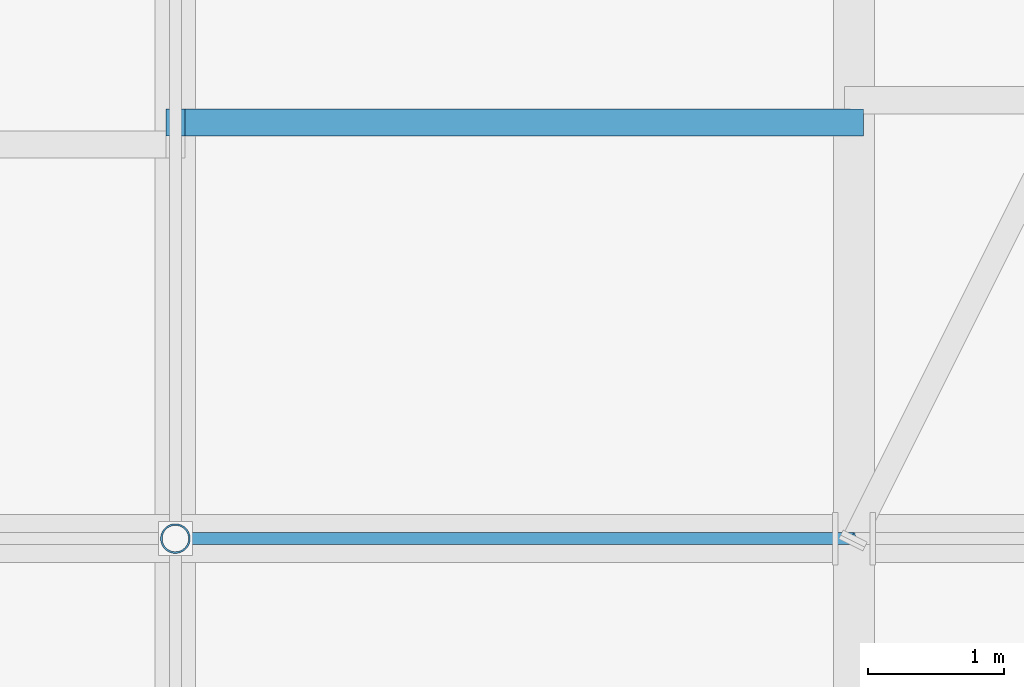
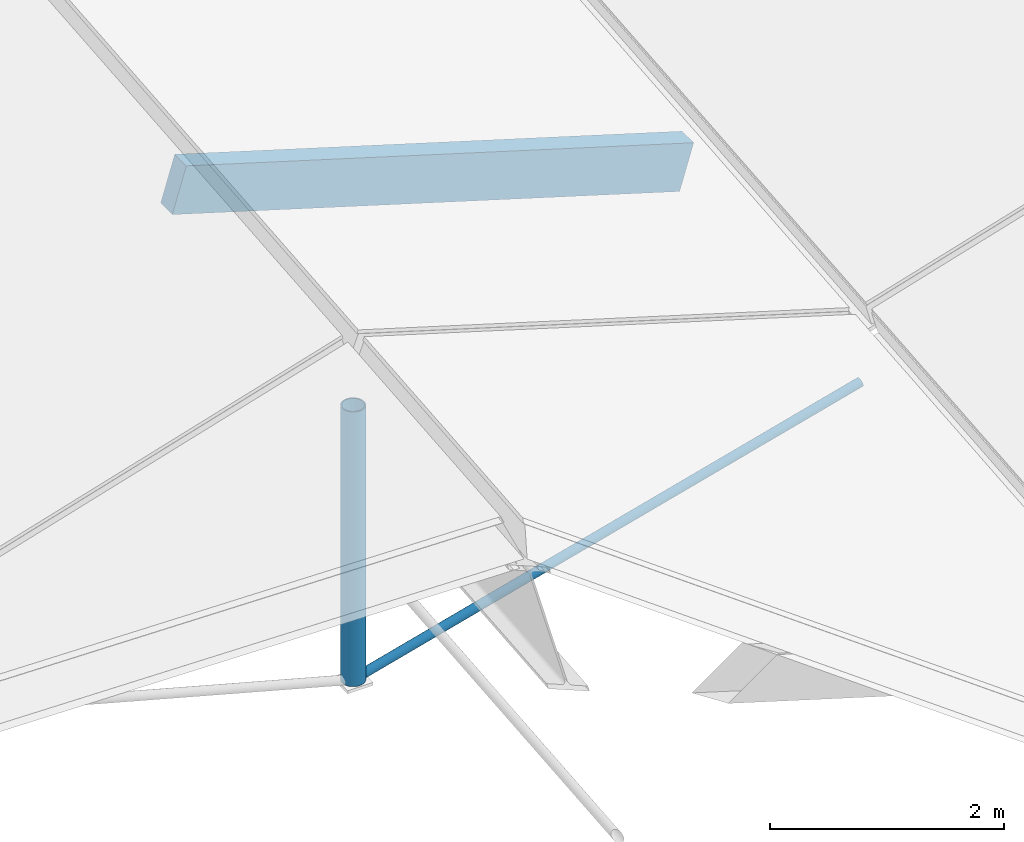
# One storey, part 12 of 90: 3 members.
"""IFC4 building model written with IfcOpenShell, lengths in metres."""

from ifc_helpers import new_model, si_unit, direction, frame, origin, origin_2d, place, context, subcontext, project, spatial, rectangle, circle, hollow_circle, extrude, material, material_profile, profile_set, type_object, element, save


model = new_model("IFC4")

# Units and contexts
model_context = context("Model", 3, precision=1e-05, world=origin(), true_north=direction((0.0, 1.0)))
body_context = subcontext(model_context, "Body", "Model", "MODEL_VIEW")
ifc_project = project(units=[si_unit("LENGTHUNIT", "METRE"), si_unit("AREAUNIT", "SQUARE_METRE"), si_unit("VOLUMEUNIT", "CUBIC_METRE"), si_unit("PLANEANGLEUNIT", "RADIAN"), si_unit("MASSUNIT", "GRAM", prefix="KILO"), si_unit("THERMODYNAMICTEMPERATUREUNIT", "KELVIN"), si_unit("POWERUNIT", "WATT")], contexts=[model_context])

# Site, building, storey
site_placement = place(None, origin())
site = spatial("IfcSite", under=ifc_project, at=site_placement, CompositionType="ELEMENT")
building_placement = place(site_placement, origin())
building = spatial("IfcBuilding", under=site, at=building_placement, Name="Korenveer Ferry Terminal", CompositionType="ELEMENT")
storey_placement = place(building_placement, frame((0.0, 0.0, 22.199951171875)))
storey = spatial("IfcBuildingStorey", under=building, at=storey_placement, Name="RF", CompositionType="ELEMENT", Elevation=22.199951171875)

# Members
ifc_material_1 = material(Name="High-strength steel S460", Category="steel")
ifc_material_profile_1 = material_profile(ifc_material_1, circle(Radius=0.044921875, at=origin_2d()), Name="ROD D90")
ifc_profile_set_1 = profile_set([ifc_material_profile_1], Name="High-strength steel S460")
member_type_1 = type_object("IfcMemberType", Name="STR-CBL-D90", PredefinedType="USERDEFINED", material=ifc_profile_set_1)
member_1_placement = place(storey_placement, frame((63.0, 80.0, -5.95361328125), z_axis=(-0.965424337217, 0.0, -0.260683426993), x_axis=(0.0, -1.0, 0.0)))
element("IfcMember", 1, at=member_1_placement, inside=storey, type_object=member_type_1, Name="Roof tension tie cable 58", ObjectType="CABLE", PredefinedType="USERDEFINED", context=body_context, shape_type="SweptSolid", body=[
    extrude(circle(Radius=0.044921875, at=origin_2d()), origin(), (0.0, 0.0, 1.0), 5.178955078125),
])
ifc_material_2 = material(Name="Glulam GL28h", Category="wood")
ifc_material_profile_2 = material_profile(ifc_material_2, rectangle(XDim=0.199951171875, YDim=0.47998046875, at=origin_2d()), Name="GL 200x480")
ifc_profile_set_2 = profile_set([ifc_material_profile_2], Name="Glulam GL28h")
member_type_2 = type_object("IfcMemberType", Name="STR-PUR-GL200", PredefinedType="PURLIN", material=ifc_profile_set_2)
member_2_placement = place(storey_placement, frame((58.0, 83.06591796875, -4.00732421875), z_axis=(0.957323074362, 0.0, -0.289019949647), x_axis=(0.0, 1.0, 0.0)))
element("IfcMember", 2, at=member_2_placement, inside=storey, type_object=member_type_2, Name="Folded roof glulam purlin 31", PredefinedType="PURLIN", context=body_context, shape_type="SweptSolid", body=[
    extrude(rectangle(XDim=0.199951171875, YDim=0.47998046875, at=origin_2d()), origin(), (0.0, 0.0, 1.0), 5.222900390625),
])
ifc_material_3 = material(Name="Steel S355", Category="steel")
ifc_material_profile_3 = material_profile(ifc_material_3, hollow_circle(Radius=0.109619140625, WallThickness=0.012451171875, at=origin_2d()), Name="CHS 219.1x12.5")
ifc_profile_set_3 = profile_set([ifc_material_profile_3], Name="Steel S355")
member_type_3 = type_object("IfcMemberType", Name="STR-STT-CHS219", PredefinedType="STRUT", material=ifc_profile_set_3)
member_3_placement = place(storey_placement, frame((58.0, 80.0, -7.3037109375), z_axis=(0.0, 0.0, 1.0), x_axis=(1.0, 0.0, 0.0)))
element("IfcMember", 3, at=member_3_placement, inside=storey, type_object=member_type_3, Name="Roof king-post strut STTKP-Y80-B0", PredefinedType="STRUT", context=body_context, shape_type="SweptSolid", body=[
    extrude(hollow_circle(Radius=0.109619140625, WallThickness=0.012451171875, at=origin_2d()), origin(), (0.0, 0.0, 1.0), 2.85986328125),
])

save(model, "model.ifc")
